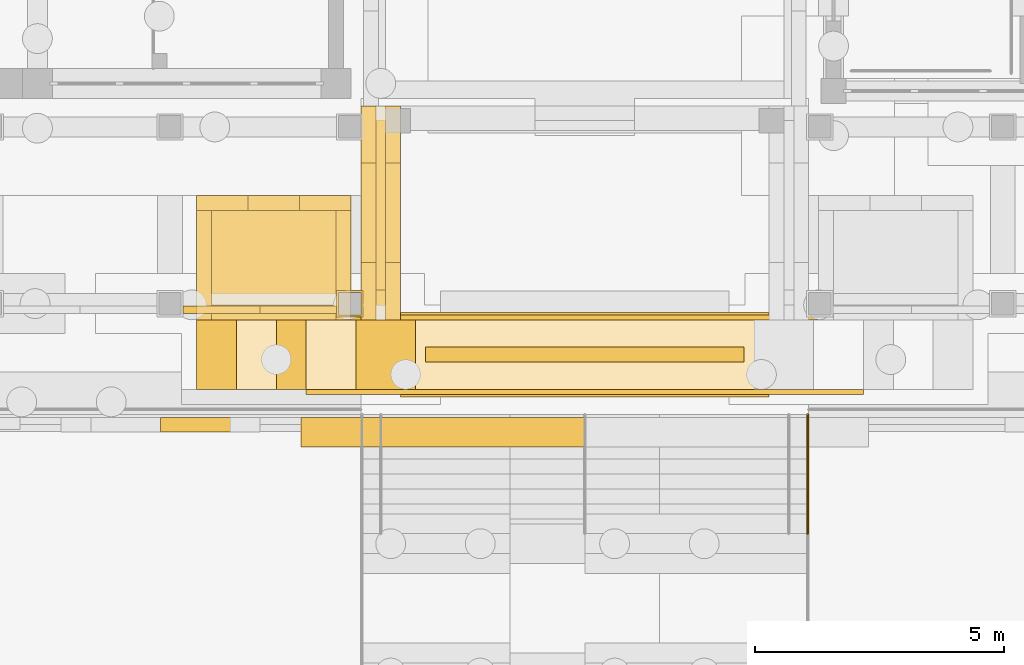
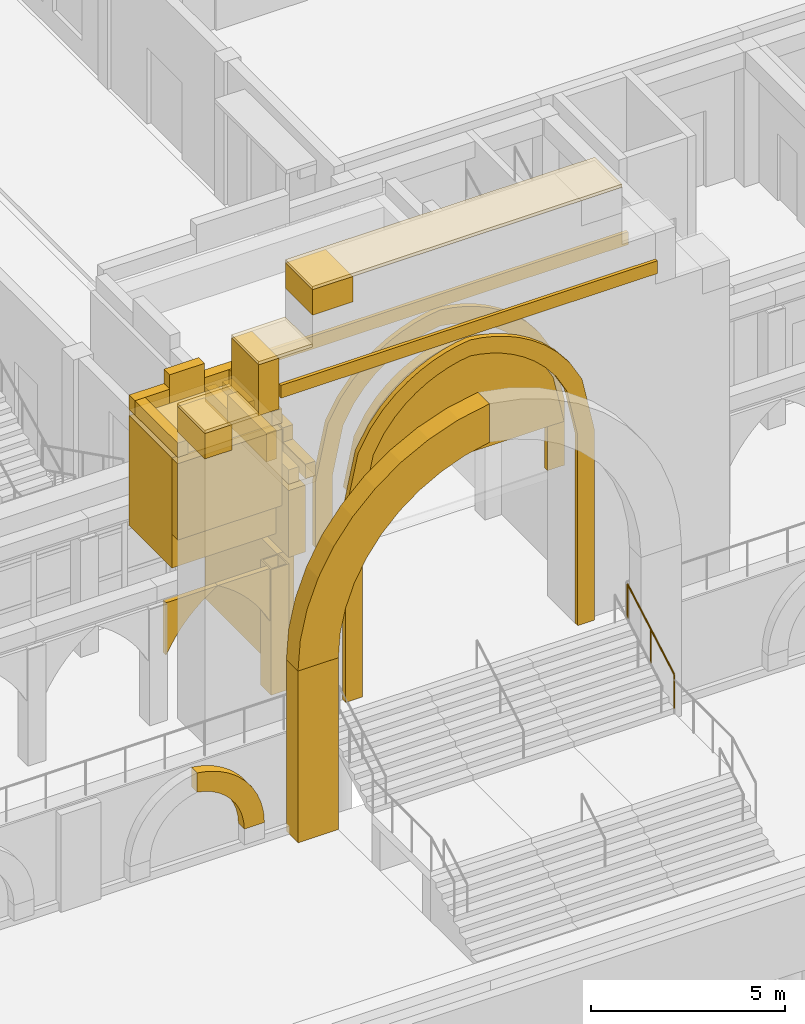
# One storey, part 89 of 161: 34 coverings, 1 railing.
"""IFC4 building model written with IfcOpenShell, lengths in metres."""

import ifcopenshell
import ifcopenshell.guid

model = None  # the IFC model being written
_history = None  # IfcOwnerHistory: only IFC2X3 demands one
_inside = {}  # id of a spatial element -> (the spatial element, [elements in it])
_under = {}  # id of a project, library or spatial element -> (it, [spatial elements below it])
_declared = {}  # id of a project -> (the project, [libraries it declares])
_typed = {}  # id of a type object -> (the type object, [elements of that type])
_made_of = {}  # id of a material, layer set ... -> (it, [elements and type objects made of it])


def new_model(schema):
    """Start an empty IFC model of exactly this schema.

    Asked for "IFC4X3", IfcOpenShell would pick the latest addendum, in which some entities
    have other attributes; the version numbers below select the first issue.
    IFC2X3 requires an IfcOwnerHistory on every rooted entity: one is made here for all.
    """
    global model, _history
    if schema == "IFC4X3":
        model = ifcopenshell.file(schema_version=(4, 3, 0, 0))
    else:
        model = ifcopenshell.file(schema=schema)
    _inside.clear()
    _under.clear()
    _declared.clear()
    _typed.clear()
    _made_of.clear()
    _history = None
    if model.schema == "IFC2X3":
        org = make("IfcOrganization", Name="unknown")
        user = make(
            "IfcPersonAndOrganization",
            ThePerson=make("IfcPerson", FamilyName="unknown"),
            TheOrganization=org,
        )
        app = make(
            "IfcApplication",
            ApplicationDeveloper=org,
            Version="unknown",
            ApplicationFullName="unknown",
            ApplicationIdentifier="unknown",
        )
        _history = make(
            "IfcOwnerHistory",
            OwningUser=user,
            OwningApplication=app,
            ChangeAction="ADDED",
            CreationDate=0,
        )
    return model


def make(cls, **values):
    """One entity of the class cls with the attributes given. An attribute that is None is left unset."""
    return model.create_entity(
        cls, **{name: value for name, value in values.items() if value is not None}
    )


def rooted(cls, **values):
    """An entity with a GlobalId (a new one), such as an element, a storey or a relation."""
    return make(cls, GlobalId=ifcopenshell.guid.new(), OwnerHistory=_history, **values)


def si_unit(unit_type, name, prefix=None):
    """IfcSIUnit, for example si_unit("LENGTHUNIT", "METRE", prefix="MILLI")."""
    return make("IfcSIUnit", UnitType=unit_type, Prefix=prefix, Name=name)


def assignment(units):
    """IfcUnitAssignment: the units of a project."""
    return None if units is None else make("IfcUnitAssignment", Units=units)


def point(xyz):
    """IfcCartesianPoint."""
    return None if xyz is None else make("IfcCartesianPoint", Coordinates=xyz)


def direction(xyz):
    """IfcDirection."""
    return None if xyz is None else make("IfcDirection", DirectionRatios=xyz)


def frame(location, z_axis=None, x_axis=None):
    """IfcAxis2Placement3D, a coordinate frame: its origin and axes. An axis left out is left unset."""
    return make(
        "IfcAxis2Placement3D",
        Location=point(location),
        Axis=direction(z_axis),
        RefDirection=direction(x_axis),
    )


def frame_2d(location, x_axis=None):
    """IfcAxis2Placement2D, a coordinate frame in the plane: its origin and x axis."""
    return make(
        "IfcAxis2Placement2D", Location=point(location), RefDirection=direction(x_axis)
    )


def origin():
    """The frame at (0, 0, 0) with its axes left unset."""
    return frame((0.0, 0.0, 0.0))


def origin_2d():
    """The frame at (0, 0) in the plane with its x axis left unset."""
    return frame_2d((0.0, 0.0))


def place(relative_to, where):
    """IfcLocalPlacement: puts the frame where relative to a parent placement (None: the world)."""
    return make(
        "IfcLocalPlacement", PlacementRelTo=relative_to, RelativePlacement=where
    )


def context(
    kind, dimensions, precision=None, world=None, true_north=None, identifier=None
):
    """IfcGeometricRepresentationContext, for example the 3D "Model" context."""
    return make(
        "IfcGeometricRepresentationContext",
        ContextIdentifier=identifier,
        ContextType=kind,
        CoordinateSpaceDimension=dimensions,
        Precision=precision,
        WorldCoordinateSystem=world,
        TrueNorth=true_north,
    )


def subcontext(parent, identifier, kind, view, scale=None):
    """IfcGeometricRepresentationSubContext, for example "Body" below "Model"."""
    return make(
        "IfcGeometricRepresentationSubContext",
        ContextIdentifier=identifier,
        ContextType=kind,
        ParentContext=parent,
        TargetScale=scale,
        TargetView=view,
    )


def project(units=None, contexts=None):
    """IfcProject with its units and contexts."""
    return rooted(
        "IfcProject",
        Name="project",
        RepresentationContexts=contexts,
        UnitsInContext=assignment(units),
    )


def spatial(cls, under=None, at=None, **own):
    """A site, building, storey or space (cls), placed at a placement, below another one or the project."""
    s = rooted(cls, ObjectPlacement=at, **own)
    if under is not None:
        _under.setdefault(under.id(), (under, []))[1].append(s)
    return s


def polyline(points):
    """IfcPolyline through the points."""
    return make("IfcPolyline", Points=[point(p) for p in points])


def profile(cls, at=None, kind="AREA", **sizes):
    """A parametric profile (cls). Its sizes go by their IFC names, for example OverallWidth=200.0."""
    return make(cls, ProfileType=kind, Position=at, **sizes)


def circle(**sizes):
    """IfcCircleProfileDef."""
    return profile("IfcCircleProfileDef", **sizes)


def outline(outer, holes=None, kind="AREA"):
    """IfcArbitraryClosedProfileDef: a profile drawn as a closed curve; with holes, ...WithVoids."""
    if holes is None:
        return make("IfcArbitraryClosedProfileDef", ProfileType=kind, OuterCurve=outer)
    return make(
        "IfcArbitraryProfileDefWithVoids",
        ProfileType=kind,
        OuterCurve=outer,
        InnerCurves=holes,
    )


def extrude(swept, where, along, depth):
    """IfcExtrudedAreaSolid: the profile swept, set in the frame where, extruded along a direction by depth."""
    return make(
        "IfcExtrudedAreaSolid",
        SweptArea=swept,
        Position=where,
        ExtrudedDirection=direction(along),
        Depth=depth,
    )


def shape(context_of_items, identifier, shape_type, items):
    """IfcShapeRepresentation: the items that make up one representation, for example the "Body"."""
    return make(
        "IfcShapeRepresentation",
        ContextOfItems=context_of_items,
        RepresentationIdentifier=identifier,
        RepresentationType=shape_type,
        Items=items,
    )


def material(Name=None, Category=None):
    """IfcMaterial."""
    return make("IfcMaterial", Name=Name, Category=Category)


def layer(
    of_material, thickness, ventilated=None, Name=None, Category=None, Priority=None
):
    """IfcMaterialLayer: one layer of a wall or slab, of a material (None: an air gap)."""
    return make(
        "IfcMaterialLayer",
        Material=of_material,
        LayerThickness=thickness,
        IsVentilated=ventilated,
        Name=Name,
        Category=Category,
        Priority=Priority,
    )


def layer_set(layers, Name=None):
    """IfcMaterialLayerSet."""
    return make("IfcMaterialLayerSet", MaterialLayers=layers, LayerSetName=Name)


def material_profile(
    of_material, cross_section, Name=None, Category=None, Priority=None
):
    """IfcMaterialProfile: a cross section and its material."""
    return make(
        "IfcMaterialProfile",
        Name=Name,
        Material=of_material,
        Profile=cross_section,
        Priority=Priority,
        Category=Category,
    )


def profile_set(profiles, Name=None, composite=None):
    """IfcMaterialProfileSet."""
    return make(
        "IfcMaterialProfileSet",
        Name=Name,
        MaterialProfiles=profiles,
        CompositeProfile=composite,
    )


def made_of(thing, what):
    """Note that an element or type object is made of a material, layer set ...; save() writes the relation."""
    if what is not None:
        _made_of.setdefault(what.id(), (what, []))[1].append(thing)
    return thing


def type_object(cls, material=None, **own):
    """A type object (cls), such as IfcWallType, which elements share."""
    return made_of(rooted(cls, **own), material)


def element(
    cls,
    number,
    at=None,
    inside=None,
    cuts=None,
    type_object=None,
    material=None,
    context=None,
    identifier="Body",
    shape_type=None,
    held_by="IfcProductDefinitionShape",
    body=None,
    shapes=None,
    **own,
):
    """One element of the class cls, such as IfcWall. Its Tag is "e" and its number.

    at: its placement. inside: the storey or other place that contains it. cuts: it is an
    opening in that element (IfcRelVoidsElement). A single representation is given by context,
    identifier, shape_type and body (its items); several are given by shapes. held_by: the class
    of the entity that holds the representations. save() writes the other relations.
    """
    e = rooted(cls, Tag="e%d" % number, ObjectPlacement=at, **own)
    if body is not None:
        shapes = [shape(context, identifier, shape_type, body)]
    if shapes is not None:
        e.Representation = make(held_by, Representations=shapes)
    if inside is not None:
        _inside.setdefault(inside.id(), (inside, []))[1].append(e)
    if cuts is not None:
        rooted(
            "IfcRelVoidsElement", RelatingBuildingElement=cuts, RelatedOpeningElement=e
        )
    if type_object is not None:
        _typed.setdefault(type_object.id(), (type_object, []))[1].append(e)
    return made_of(e, material)


def aggregate(whole, parts):
    """IfcRelAggregates: a whole, such as a stair, and the parts it consists of."""
    return rooted("IfcRelAggregates", RelatingObject=whole, RelatedObjects=parts)


def save(model, path):
    """Write the relations noted so far, then the file.

    IfcRelAggregates (storeys below a building ...), IfcRelContainedInSpatialStructure (elements
    in a storey), IfcRelDefinesByType, IfcRelAssociatesMaterial and IfcRelDeclares: one each for
    every whole, place, type object, material and project.
    """
    for whole, parts in _under.values():
        aggregate(whole, parts)
    for where, things in _inside.values():
        rooted(
            "IfcRelContainedInSpatialStructure",
            RelatedElements=things,
            RelatingStructure=where,
        )
    for kind, things in _typed.values():
        rooted("IfcRelDefinesByType", RelatedObjects=things, RelatingType=kind)
    for what, things in _made_of.values():
        rooted("IfcRelAssociatesMaterial", RelatedObjects=things, RelatingMaterial=what)
    for by, libraries in _declared.values():
        rooted("IfcRelDeclares", RelatingContext=by, RelatedDefinitions=libraries)
    model.write(path)


model = new_model("IFC4")

# Units and contexts
model_context = context("Model", 3, precision=1e-05, world=origin(), true_north=direction((0.0, 1.0)))
body_context = subcontext(model_context, "Body", "Model", "MODEL_VIEW")
ifc_project = project(units=[si_unit("LENGTHUNIT", "METRE"), si_unit("AREAUNIT", "SQUARE_METRE"), si_unit("VOLUMEUNIT", "CUBIC_METRE"), si_unit("PLANEANGLEUNIT", "RADIAN"), si_unit("MASSUNIT", "GRAM", prefix="KILO")], contexts=[model_context])

# Site, building, storey
site_placement = place(None, origin())
site = spatial("IfcSite", under=ifc_project, at=site_placement, CompositionType="ELEMENT")
building_placement = place(site_placement, origin())
building = spatial("IfcBuilding", under=site, at=building_placement, Name="Elbe Cascade School", CompositionType="ELEMENT")
storey_placement = place(building_placement, origin())
storey = spatial("IfcBuildingStorey", under=building, at=storey_placement, Name="L00", CompositionType="ELEMENT", Elevation=0.0)

# Coverings
ifc_material_1 = material(Name="Sandstone - red", Category="masonry")
ifc_layer_1 = layer(ifc_material_1, 0.300048828125)
ifc_layer_set_1 = layer_set([ifc_layer_1], Name="Sandstone - red")
covering_type_1 = type_object("IfcCoveringType", Name="Gate chamber parapet 300", PredefinedType="CLADDING", material=ifc_layer_set_1)
covering_1_placement = place(storey_placement, frame((0.0, 0.0, 6.199951171875)))
element("IfcCovering", 1, at=covering_1_placement, inside=storey, type_object=covering_type_1, Name="Gate chamber parapet 300 CV16", PredefinedType="CLADDING", context=body_context, shape_type="SweptSolid", body=[
    extrude(outline(polyline([(29.5, 1.39990234375), (29.800048828125, 1.39990234375), (29.800048828125, 2.550048828125), (29.5, 2.550048828125), (29.5, 1.39990234375)])), origin(), (0.0, 0.0, 1.0), 0.449951171875),
])
covering_2_placement = place(storey_placement, frame((0.0, 0.0, 6.199951171875)))
element("IfcCovering", 2, at=covering_2_placement, inside=storey, type_object=covering_type_1, Name="Gate chamber parapet 300 CV16", PredefinedType="CLADDING", context=body_context, shape_type="SweptSolid", body=[
    extrude(outline(polyline([(29.5, 2.550048828125), (29.800048828125, 2.550048828125), (29.800048828125, 4.550048828125), (29.5, 4.550048828125), (29.5, 2.550048828125)])), origin(), (0.0, 0.0, 1.0), 0.900146484375),
])
covering_3_placement = place(storey_placement, frame((0.0, 0.0, 6.199951171875)))
element("IfcCovering", 3, at=covering_3_placement, inside=storey, type_object=covering_type_1, Name="Gate chamber parapet 300 CV16", PredefinedType="CLADDING", context=body_context, shape_type="SweptSolid", body=[
    extrude(outline(polyline([(29.5, 4.550048828125), (29.800048828125, 4.550048828125), (29.800048828125, 5.699951171875), (29.5, 5.699951171875), (29.5, 4.550048828125)])), origin(), (0.0, 0.0, 1.0), 0.449951171875),
])
covering_4_placement = place(storey_placement, frame((0.0, 0.0, 6.199951171875)))
element("IfcCovering", 4, at=covering_4_placement, inside=storey, type_object=covering_type_1, Name="Gate chamber parapet 300 CV16", PredefinedType="CLADDING", context=body_context, shape_type="SweptSolid", body=[
    extrude(outline(polyline([(30.0, 1.39990234375), (30.300048828125, 1.39990234375), (30.300048828125, 2.550048828125), (30.0, 2.550048828125), (30.0, 1.39990234375)])), origin(), (0.0, 0.0, 1.0), 0.449951171875),
])
covering_5_placement = place(storey_placement, frame((0.0, 0.0, 6.199951171875)))
element("IfcCovering", 5, at=covering_5_placement, inside=storey, type_object=covering_type_1, Name="Gate chamber parapet 300 CV16", PredefinedType="CLADDING", context=body_context, shape_type="SweptSolid", body=[
    extrude(outline(polyline([(30.0, 2.550048828125), (30.300048828125, 2.550048828125), (30.300048828125, 4.550048828125), (30.0, 4.550048828125), (30.0, 2.550048828125)])), origin(), (0.0, 0.0, 1.0), 0.900146484375),
])
covering_6_placement = place(storey_placement, frame((0.0, 0.0, 6.199951171875)))
element("IfcCovering", 6, at=covering_6_placement, inside=storey, type_object=covering_type_1, Name="Gate chamber parapet 300 CV16", PredefinedType="CLADDING", context=body_context, shape_type="SweptSolid", body=[
    extrude(outline(polyline([(30.0, 4.550048828125), (30.300048828125, 4.550048828125), (30.300048828125, 5.699951171875), (30.0, 5.699951171875), (30.0, 4.550048828125)])), origin(), (0.0, 0.0, 1.0), 0.449951171875),
])
covering_7_placement = place(storey_placement, frame((0.0, 0.0, 8.199951171875)))
element("IfcCovering", 7, at=covering_7_placement, inside=storey, type_object=covering_type_1, Name="Gate chamber parapet 300 CV16", PredefinedType="CLADDING", context=body_context, shape_type="SweptSolid", body=[
    extrude(outline(polyline([(26.199951171875, 1.39990234375), (26.5, 1.39990234375), (26.5, 3.60009765625), (26.199951171875, 3.60009765625), (26.199951171875, 1.39990234375)])), origin(), (0.0, 0.0, 1.0), 0.449951171875),
])
covering_8_placement = place(storey_placement, frame((0.0, 0.0, 8.199951171875)))
element("IfcCovering", 8, at=covering_8_placement, inside=storey, type_object=covering_type_1, Name="Gate chamber parapet 300 CV16", PredefinedType="CLADDING", context=body_context, shape_type="SweptSolid", body=[
    extrude(outline(polyline([(29.0, 1.39990234375), (29.300048828125, 1.39990234375), (29.300048828125, 3.60009765625), (29.0, 3.60009765625), (29.0, 1.39990234375)])), origin(), (0.0, 0.0, 1.0), 0.449951171875),
])
covering_9_placement = place(storey_placement, frame((0.0, 0.0, 8.199951171875)))
element("IfcCovering", 9, at=covering_9_placement, inside=storey, type_object=covering_type_1, Name="Gate chamber parapet 300 CV16", PredefinedType="CLADDING", context=body_context, shape_type="SweptSolid", body=[
    extrude(outline(polyline([(26.199951171875, 3.60009765625), (27.2333984375, 3.60009765625), (27.2333984375, 3.89990234375), (26.199951171875, 3.89990234375), (26.199951171875, 3.60009765625)])), origin(), (0.0, 0.0, 1.0), 0.449951171875),
])
covering_10_placement = place(storey_placement, frame((0.0, 0.0, 8.199951171875)))
element("IfcCovering", 10, at=covering_10_placement, inside=storey, type_object=covering_type_1, Name="Gate chamber parapet 300 CV16", PredefinedType="CLADDING", context=body_context, shape_type="SweptSolid", body=[
    extrude(outline(polyline([(27.2333984375, 3.60009765625), (28.2666015625, 3.60009765625), (28.2666015625, 3.89990234375), (27.2333984375, 3.89990234375), (27.2333984375, 3.60009765625)])), origin(), (0.0, 0.0, 1.0), 0.900146484375),
])
covering_11_placement = place(storey_placement, frame((0.0, 0.0, 8.199951171875)))
element("IfcCovering", 11, at=covering_11_placement, inside=storey, type_object=covering_type_1, Name="Gate chamber parapet 300 CV16", PredefinedType="CLADDING", context=body_context, shape_type="SweptSolid", body=[
    extrude(outline(polyline([(28.2666015625, 3.60009765625), (29.300048828125, 3.60009765625), (29.300048828125, 3.89990234375), (28.2666015625, 3.89990234375), (28.2666015625, 3.60009765625)])), origin(), (0.0, 0.0, 1.0), 0.449951171875),
])
ifc_material_2 = material(Name="Sandstone - red", Category="masonry")
ifc_layer_2 = layer(ifc_material_2, 0.199951171875)
ifc_layer_set_2 = layer_set([ifc_layer_2], Name="Sandstone - red")
covering_type_2 = type_object("IfcCoveringType", Name="Gate chamber roof 200", PredefinedType="CLADDING", material=ifc_layer_set_2)
covering_12_placement = place(storey_placement, frame((0.0, 0.0, 6.0)))
element("IfcCovering", 12, at=covering_12_placement, inside=storey, type_object=covering_type_2, Name="Gate chamber roof 200 CV15", PredefinedType="CLADDING", context=body_context, shape_type="SweptSolid", body=[
    extrude(outline(polyline([(29.5, 1.39990234375), (30.300048828125, 1.39990234375), (30.300048828125, 5.699951171875), (29.5, 5.699951171875), (29.5, 1.39990234375)])), origin(), (0.0, 0.0, 1.0), 0.199951171875),
])
covering_13_placement = place(storey_placement, frame((0.0, 0.0, 8.0)))
element("IfcCovering", 13, at=covering_13_placement, inside=storey, type_object=covering_type_2, Name="Gate chamber roof 200 CV15", PredefinedType="CLADDING", context=body_context, shape_type="SweptSolid", body=[
    extrude(outline(polyline([(26.199951171875, 1.39990234375), (29.300048828125, 1.39990234375), (29.300048828125, 3.89990234375), (26.199951171875, 3.89990234375), (26.199951171875, 1.39990234375)])), origin(), (0.0, 0.0, 1.0), 0.199951171875),
])
ifc_material_3 = material(Name="Sandstone - red", Category="masonry")
ifc_layer_3 = layer(ifc_material_3, 0.5)
ifc_layer_set_3 = layer_set([ifc_layer_3], Name="Sandstone - red")
covering_type_3 = type_object("IfcCoveringType", Name="Gate chamber wall 500", PredefinedType="CLADDING", material=ifc_layer_set_3)
covering_14_placement = place(storey_placement, frame((0.0, 0.0, 3.89990234375)))
element("IfcCovering", 14, at=covering_14_placement, inside=storey, type_object=covering_type_3, Name="Gate chamber wall 500 CV14", PredefinedType="CLADDING", context=body_context, shape_type="SweptSolid", body=[
    extrude(outline(polyline([(29.5, 1.39990234375), (30.0, 1.39990234375), (30.0, 5.699951171875), (29.5, 5.699951171875), (29.5, 1.39990234375)])), origin(), (0.0, 0.0, 1.0), 2.10009765625),
])
ifc_material_4 = material(Name="Sandstone - red", Category="masonry")
ifc_layer_4 = layer(ifc_material_4, 1.39990234375)
ifc_layer_set_4 = layer_set([ifc_layer_4], Name="Sandstone - red")
covering_type_4 = type_object("IfcCoveringType", Name="Gate crown infill 140", PredefinedType="CLADDING", material=ifc_layer_set_4)
covering_15_placement = place(storey_placement, frame((0.0, 0.0, 12.39990234375)))
element("IfcCovering", 15, at=covering_15_placement, inside=storey, type_object=covering_type_4, Name="Gate crown infill 140 CV9", PredefinedType="CLADDING", context=body_context, shape_type="SweptSolid", body=[
    extrude(outline(polyline([(29.39990234375, 0.0), (30.60009765625, 0.0), (30.60009765625, 1.39990234375), (29.39990234375, 1.39990234375), (29.39990234375, 0.0)])), origin(), (0.0, 0.0, 1.0), 0.800048828125),
])
covering_16_placement = place(storey_placement, frame((0.0, 0.0, 9.800048828125)))
element("IfcCovering", 16, at=covering_16_placement, inside=storey, type_object=covering_type_4, Name="Gate crown infill 140 CV9", PredefinedType="CLADDING", context=body_context, shape_type="SweptSolid", body=[
    extrude(outline(polyline([(27.800048828125, 0.0), (28.39990234375, 0.0), (28.39990234375, 1.39990234375), (27.800048828125, 1.39990234375), (27.800048828125, 0.0)])), origin(), (0.0, 0.0, 1.0), 1.599853515625),
])
covering_17_placement = place(storey_placement, frame((0.0, 0.0, 9.0)))
element("IfcCovering", 17, at=covering_17_placement, inside=storey, type_object=covering_type_4, Name="Gate crown infill 140 CV9", PredefinedType="CLADDING", context=body_context, shape_type="SweptSolid", body=[
    extrude(outline(polyline([(26.199951171875, 0.0), (27.0, 0.0), (27.0, 1.39990234375), (26.199951171875, 1.39990234375), (26.199951171875, 0.0)])), origin(), (0.0, 0.0, 1.0), 0.800048828125),
])
ifc_material_5 = material(Name="Sandstone - red", Category="masonry")
ifc_layer_5 = layer(ifc_material_5, 0.10009765625)
ifc_layer_set_5 = layer_set([ifc_layer_5], Name="Sandstone - red")
covering_type_5 = type_object("IfcCoveringType", Name="Gate parapet coping 100", PredefinedType="CLADDING", material=ifc_layer_set_5)
covering_18_placement = place(storey_placement, frame((0.0, 0.0, 13.199951171875)))
element("IfcCovering", 18, at=covering_18_placement, inside=storey, type_object=covering_type_5, Name="Gate parapet coping 100 CV8", PredefinedType="CLADDING", context=body_context, shape_type="SweptSolid", body=[
    extrude(outline(polyline([(29.39990234375, 0.0), (38.60009765625, 0.0), (38.60009765625, 1.39990234375), (29.39990234375, 1.39990234375), (29.39990234375, 0.0)])), origin(), (0.0, 0.0, 1.0), 0.10009765625),
])
covering_19_placement = place(storey_placement, frame((0.0, 0.0, 11.39990234375)))
element("IfcCovering", 19, at=covering_19_placement, inside=storey, type_object=covering_type_5, Name="Gate parapet coping 100 CV8", PredefinedType="CLADDING", context=body_context, shape_type="SweptSolid", body=[
    extrude(outline(polyline([(27.800048828125, 0.0), (29.39990234375, 0.0), (29.39990234375, 1.39990234375), (27.800048828125, 1.39990234375), (27.800048828125, 0.0)])), origin(), (0.0, 0.0, 1.0), 0.10009765625),
])
covering_20_placement = place(storey_placement, frame((0.0, 0.0, 9.800048828125)))
element("IfcCovering", 20, at=covering_20_placement, inside=storey, type_object=covering_type_5, Name="Gate parapet coping 100 CV8", PredefinedType="CLADDING", context=body_context, shape_type="SweptSolid", body=[
    extrude(outline(polyline([(26.199951171875, 0.0), (27.800048828125, 0.0), (27.800048828125, 1.39990234375), (26.199951171875, 1.39990234375), (26.199951171875, 0.0)])), origin(), (0.0, 0.0, 1.0), 0.099853515625),
])
ifc_material_6 = material(Name="Sandstone - red", Category="masonry")
ifc_layer_6 = layer(ifc_material_6, 0.5)
ifc_layer_set_6 = layer_set([ifc_layer_6], Name="Sandstone - red")
covering_type_6 = type_object("IfcCoveringType", Name="Gate porch return wall 500", PredefinedType="CLADDING", material=ifc_layer_set_6)
covering_21_placement = place(storey_placement, origin())
element("IfcCovering", 21, at=covering_21_placement, inside=storey, type_object=covering_type_6, Name="Gate porch return wall 500 CV11", PredefinedType="CLADDING", context=body_context, shape_type="SweptSolid", body=[
    extrude(outline(polyline([(29.5, 2.0), (30.0, 2.0), (30.0, 5.699951171875), (29.5, 5.699951171875), (29.5, 2.0)])), origin(), (0.0, 0.0, 1.0), 3.64990234375),
])
ifc_material_7 = material(Name="Sandstone - red", Category="masonry")
ifc_material_profile_1 = material_profile(ifc_material_7, outline(polyline([(-3.699951171875, 0.0), (-3.699951171875, 6.0), (-3.330078125, 7.70751953125), (-2.9599609375, 8.357421875), (-2.590087890625, 8.815185546875), (-2.219970703125, 9.165283203125), (-1.85009765625, 9.44091796875), (-1.47998046875, 9.65869140625), (-1.110107421875, 9.828857421875), (-0.739990234375, 9.95703125), (-0.3701171875, 10.047607421875), (0.0, 10.10302734375), (0.3701171875, 10.047607421875), (0.739990234375, 9.95703125), (1.110107421875, 9.828857421875), (1.47998046875, 9.65869140625), (1.85009765625, 9.44091796875), (2.219970703125, 9.165283203125), (2.590087890625, 8.815185546875), (2.9599609375, 8.357421875), (3.330078125, 7.70751953125), (3.699951171875, 6.0), (3.699951171875, 0.0), (3.199951171875, 0.0), (3.199951171875, 6.0), (2.8798828125, 7.4892578125), (2.56005859375, 8.056884765625), (2.239990234375, 8.457275390625), (1.919921875, 8.764404296875), (1.60009765625, 9.006591796875), (1.280029296875, 9.198974609375), (0.9599609375, 9.35009765625), (0.639892578125, 9.465087890625), (0.320068359375, 9.547607421875), (0.0, 9.60009765625), (-0.320068359375, 9.547607421875), (-0.639892578125, 9.465087890625), (-0.9599609375, 9.35009765625), (-1.280029296875, 9.198974609375), (-1.60009765625, 9.006591796875), (-1.919921875, 8.764404296875), (-2.239990234375, 8.457275390625), (-2.56005859375, 8.056884765625), (-2.8798828125, 7.4892578125), (-3.199951171875, 6.0), (-3.199951171875, 0.0), (-3.699951171875, 0.0)])), Name="Arch moulding face")
ifc_profile_set_1 = profile_set([ifc_material_profile_1], Name="Sandstone - red")
covering_type_7 = type_object("IfcCoveringType", Name="Gate portal arch moulding 150", PredefinedType="CLADDING", material=ifc_profile_set_1)
covering_22_placement = place(storey_placement, frame((34.0, -0.14990234375, 0.0), z_axis=(0.0, 1.0, 0.0), x_axis=(-1.0, 0.0, 0.0)))
element("IfcCovering", 22, at=covering_22_placement, inside=storey, type_object=covering_type_7, Name="Gate portal arch moulding 150 CV6", PredefinedType="CLADDING", context=body_context, shape_type="SweptSolid", body=[
    extrude(outline(polyline([(-3.699951171875, 0.0), (-3.699951171875, 6.0), (-3.330078125, 7.70751953125), (-2.9599609375, 8.357421875), (-2.590087890625, 8.815185546875), (-2.219970703125, 9.165283203125), (-1.85009765625, 9.44091796875), (-1.47998046875, 9.65869140625), (-1.110107421875, 9.828857421875), (-0.739990234375, 9.95703125), (-0.3701171875, 10.047607421875), (0.0, 10.10302734375), (0.3701171875, 10.047607421875), (0.739990234375, 9.95703125), (1.110107421875, 9.828857421875), (1.47998046875, 9.65869140625), (1.85009765625, 9.44091796875), (2.219970703125, 9.165283203125), (2.590087890625, 8.815185546875), (2.9599609375, 8.357421875), (3.330078125, 7.70751953125), (3.699951171875, 6.0), (3.699951171875, 0.0), (3.199951171875, 0.0), (3.199951171875, 6.0), (2.8798828125, 7.4892578125), (2.56005859375, 8.056884765625), (2.239990234375, 8.457275390625), (1.919921875, 8.764404296875), (1.60009765625, 9.006591796875), (1.280029296875, 9.198974609375), (0.9599609375, 9.35009765625), (0.639892578125, 9.465087890625), (0.320068359375, 9.547607421875), (0.0, 9.60009765625), (-0.320068359375, 9.547607421875), (-0.639892578125, 9.465087890625), (-0.9599609375, 9.35009765625), (-1.280029296875, 9.198974609375), (-1.60009765625, 9.006591796875), (-1.919921875, 8.764404296875), (-2.239990234375, 8.457275390625), (-2.56005859375, 8.056884765625), (-2.8798828125, 7.4892578125), (-3.199951171875, 6.0), (-3.199951171875, 0.0), (-3.699951171875, 0.0)])), origin(), (0.0, 0.0, 1.0), 0.14990234375),
])
ifc_material_8 = material(Name="Sandstone - red", Category="masonry")
ifc_material_profile_2 = material_profile(ifc_material_8, outline(polyline([(-3.699951171875, 3.929931640625), (-3.699951171875, 6.0), (-3.330078125, 7.70751953125), (-2.9599609375, 8.357421875), (-2.590087890625, 8.815185546875), (-2.219970703125, 9.165283203125), (-1.85009765625, 9.44091796875), (-1.47998046875, 9.65869140625), (-1.110107421875, 9.828857421875), (-0.739990234375, 9.95703125), (-0.3701171875, 10.047607421875), (0.0, 10.10302734375), (0.3701171875, 10.047607421875), (0.739990234375, 9.95703125), (1.110107421875, 9.828857421875), (1.47998046875, 9.65869140625), (1.85009765625, 9.44091796875), (2.219970703125, 9.165283203125), (2.590087890625, 8.815185546875), (2.9599609375, 8.357421875), (3.330078125, 7.70751953125), (3.699951171875, 6.0), (3.699951171875, 3.929931640625), (3.199951171875, 3.929931640625), (3.199951171875, 6.0), (2.8798828125, 7.4892578125), (2.56005859375, 8.056884765625), (2.239990234375, 8.457275390625), (1.919921875, 8.764404296875), (1.60009765625, 9.006591796875), (1.280029296875, 9.198974609375), (0.9599609375, 9.35009765625), (0.639892578125, 9.465087890625), (0.320068359375, 9.547607421875), (0.0, 9.60009765625), (-0.320068359375, 9.547607421875), (-0.639892578125, 9.465087890625), (-0.9599609375, 9.35009765625), (-1.280029296875, 9.198974609375), (-1.60009765625, 9.006591796875), (-1.919921875, 8.764404296875), (-2.239990234375, 8.457275390625), (-2.56005859375, 8.056884765625), (-2.8798828125, 7.4892578125), (-3.199951171875, 6.0), (-3.199951171875, 3.929931640625), (-3.699951171875, 3.929931640625)])), Name="Arch moulding back face")
ifc_profile_set_2 = profile_set([ifc_material_profile_2], Name="Sandstone - red")
covering_type_8 = type_object("IfcCoveringType", Name="Gate portal back moulding 150", PredefinedType="CLADDING", material=ifc_profile_set_2)
covering_23_placement = place(storey_placement, frame((34.0, 1.39990234375, 0.0), z_axis=(0.0, 1.0, 0.0), x_axis=(-1.0, 0.0, 0.0)))
element("IfcCovering", 23, at=covering_23_placement, inside=storey, type_object=covering_type_8, Name="Gate portal back moulding 150 CV7", PredefinedType="CLADDING", context=body_context, shape_type="SweptSolid", body=[
    extrude(outline(polyline([(-3.699951171875, 3.929931640625), (-3.699951171875, 6.0), (-3.330078125, 7.70751953125), (-2.9599609375, 8.357421875), (-2.590087890625, 8.815185546875), (-2.219970703125, 9.165283203125), (-1.85009765625, 9.44091796875), (-1.47998046875, 9.65869140625), (-1.110107421875, 9.828857421875), (-0.739990234375, 9.95703125), (-0.3701171875, 10.047607421875), (0.0, 10.10302734375), (0.3701171875, 10.047607421875), (0.739990234375, 9.95703125), (1.110107421875, 9.828857421875), (1.47998046875, 9.65869140625), (1.85009765625, 9.44091796875), (2.219970703125, 9.165283203125), (2.590087890625, 8.815185546875), (2.9599609375, 8.357421875), (3.330078125, 7.70751953125), (3.699951171875, 6.0), (3.699951171875, 3.929931640625), (3.199951171875, 3.929931640625), (3.199951171875, 6.0), (2.8798828125, 7.4892578125), (2.56005859375, 8.056884765625), (2.239990234375, 8.457275390625), (1.919921875, 8.764404296875), (1.60009765625, 9.006591796875), (1.280029296875, 9.198974609375), (0.9599609375, 9.35009765625), (0.639892578125, 9.465087890625), (0.320068359375, 9.547607421875), (0.0, 9.60009765625), (-0.320068359375, 9.547607421875), (-0.639892578125, 9.465087890625), (-0.9599609375, 9.35009765625), (-1.280029296875, 9.198974609375), (-1.60009765625, 9.006591796875), (-1.919921875, 8.764404296875), (-2.239990234375, 8.457275390625), (-2.56005859375, 8.056884765625), (-2.8798828125, 7.4892578125), (-3.199951171875, 6.0), (-3.199951171875, 3.929931640625), (-3.699951171875, 3.929931640625)])), origin(), (0.0, 0.0, 1.0), 0.150146484375),
])
ifc_material_9 = material(Name="Sandstone - red", Category="masonry")
ifc_layer_7 = layer(ifc_material_9, 0.10009765625)
ifc_layer_set_7 = layer_set([ifc_layer_7], Name="Sandstone - red")
covering_type_9 = type_object("IfcCoveringType", Name="Gate portal sandstone band 100", PredefinedType="CLADDING", material=ifc_layer_set_7)
covering_24_placement = place(storey_placement, frame((0.0, 0.0, 10.199951171875)))
element("IfcCovering", 24, at=covering_24_placement, inside=storey, type_object=covering_type_9, Name="Gate portal sandstone band 100 CV5", PredefinedType="CLADDING", context=body_context, shape_type="SweptSolid", body=[
    extrude(outline(polyline([(28.39990234375, -0.10009765625), (39.60009765625, -0.10009765625), (39.60009765625, 0.0), (28.39990234375, 0.0), (28.39990234375, -0.10009765625)])), origin(), (0.0, 0.0, 1.0), 0.400146484375),
])
covering_25_placement = place(storey_placement, frame((0.0, 0.0, 10.199951171875)))
element("IfcCovering", 25, at=covering_25_placement, inside=storey, type_object=covering_type_9, Name="Gate portal sandstone band 100 CV5", PredefinedType="CLADDING", context=body_context, shape_type="SweptSolid", body=[
    extrude(outline(polyline([(28.39990234375, 1.39990234375), (39.60009765625, 1.39990234375), (39.60009765625, 1.5), (28.39990234375, 1.5), (28.39990234375, 1.39990234375)])), origin(), (0.0, 0.0, 1.0), 0.400146484375),
])
ifc_material_10 = material(Name="Sandstone - red", Category="masonry")
ifc_material_profile_3 = material_profile(ifc_material_10, outline(polyline([(-3.199951171875, 6.0), (-2.8798828125, 7.4892578125), (-2.56005859375, 8.056884765625), (-2.239990234375, 8.457275390625), (-1.919921875, 8.764404296875), (-1.60009765625, 9.006591796875), (-1.280029296875, 9.198974609375), (-0.9599609375, 9.35009765625), (-0.639892578125, 9.465087890625), (-0.320068359375, 9.547607421875), (0.0, 9.60009765625), (0.320068359375, 9.547607421875), (0.639892578125, 9.465087890625), (0.9599609375, 9.35009765625), (1.280029296875, 9.198974609375), (1.60009765625, 9.006591796875), (1.919921875, 8.764404296875), (2.239990234375, 8.457275390625), (2.56005859375, 8.056884765625), (2.8798828125, 7.4892578125), (3.199951171875, 6.0), (-3.199951171875, 6.0)])), Name="Arch tympanum face")
ifc_profile_set_3 = profile_set([ifc_material_profile_3], Name="Sandstone - red")
covering_type_10 = type_object("IfcCoveringType", Name="Gate portal tympanum 300", PredefinedType="CLADDING", material=ifc_profile_set_3)
covering_26_placement = place(storey_placement, frame((34.0, 0.550048828125, 0.0), z_axis=(0.0, 1.0, 0.0), x_axis=(-1.0, 0.0, 0.0)))
element("IfcCovering", 26, at=covering_26_placement, inside=storey, type_object=covering_type_10, Name="Gate portal tympanum 300 CV10", PredefinedType="CLADDING", context=body_context, shape_type="SweptSolid", body=[
    extrude(outline(polyline([(-3.199951171875, 6.0), (-2.8798828125, 7.4892578125), (-2.56005859375, 8.056884765625), (-2.239990234375, 8.457275390625), (-1.919921875, 8.764404296875), (-1.60009765625, 9.006591796875), (-1.280029296875, 9.198974609375), (-0.9599609375, 9.35009765625), (-0.639892578125, 9.465087890625), (-0.320068359375, 9.547607421875), (0.0, 9.60009765625), (0.320068359375, 9.547607421875), (0.639892578125, 9.465087890625), (0.9599609375, 9.35009765625), (1.280029296875, 9.198974609375), (1.60009765625, 9.006591796875), (1.919921875, 8.764404296875), (2.239990234375, 8.457275390625), (2.56005859375, 8.056884765625), (2.8798828125, 7.4892578125), (3.199951171875, 6.0), (-3.199951171875, 6.0)])), origin(), (0.0, 0.0, 1.0), 0.300048828125),
])
ifc_material_11 = material(Name="Sandstone - red", Category="masonry")
ifc_layer_8 = layer(ifc_material_11, 2.199951171875)
ifc_layer_set_8 = layer_set([ifc_layer_8], Name="Sandstone - red")
covering_type_11 = type_object("IfcCoveringType", Name="Gate pylon wing block 220", PredefinedType="CLADDING", material=ifc_layer_set_8)
covering_27_placement = place(storey_placement, frame((0.0, 0.0, 4.5400390625)))
element("IfcCovering", 27, at=covering_27_placement, inside=storey, type_object=covering_type_11, Name="Gate pylon wing block 220 CV21", PredefinedType="CLADDING", context=body_context, shape_type="SweptSolid", body=[
    extrude(outline(polyline([(26.199951171875, 1.699951171875), (29.300048828125, 1.699951171875), (29.300048828125, 3.89990234375), (26.199951171875, 3.89990234375), (26.199951171875, 1.699951171875)])), origin(), (0.0, 0.0, 1.0), 3.4599609375),
])
ifc_material_12 = material(Name="Sandstone - red", Category="masonry")
ifc_layer_9 = layer(ifc_material_12, 0.300048828125)
ifc_layer_set_9 = layer_set([ifc_layer_9], Name="Sandstone - red")
covering_type_12 = type_object("IfcCoveringType", Name="Gate pylon wing link 030", PredefinedType="CLADDING", material=ifc_layer_set_9)
covering_28_placement = place(storey_placement, frame((0.0, 0.0, 5.60009765625)))
element("IfcCovering", 28, at=covering_28_placement, inside=storey, type_object=covering_type_12, Name="Gate pylon wing link 030 CV22", PredefinedType="CLADDING", context=body_context, shape_type="SweptSolid", body=[
    extrude(outline(polyline([(26.199951171875, 1.39990234375), (29.300048828125, 1.39990234375), (29.300048828125, 1.699951171875), (26.199951171875, 1.699951171875), (26.199951171875, 1.39990234375)])), origin(), (0.0, 0.0, 1.0), 2.39990234375),
])
ifc_material_13 = material(Name="Sandstone - red", Category="masonry")
ifc_layer_10 = layer(ifc_material_13, 0.300048828125)
ifc_layer_set_10 = layer_set([ifc_layer_10], Name="Sandstone - red")
covering_type_13 = type_object("IfcCoveringType", Name="Plinth niche arch band 600x300", PredefinedType="CLADDING", material=ifc_layer_set_10)
covering_29_placement = place(storey_placement, frame((27.451171875, -0.860107421875, -2.021484375), z_axis=(0.0, -1.0, 0.0), x_axis=(-0.216459489286, 0.0, 0.976291600649)))
element("IfcCovering", 29, at=covering_29_placement, inside=storey, type_object=covering_type_13, Name="Plinth niche arch band south 0.2.2b", PredefinedType="CLADDING", context=body_context, shape_type="SweptSolid", body=[
    extrude(outline(polyline([(0.0, 0.0), (0.32934135960117644, 0.0), (0.6551644417049964, 0.04729296121112139), (0.9708493103907654, 0.14134607453088394), (1.2696444562943432, 0.2799052172108526), (1.545222228379718, 0.4603722209510249), (1.7917058001605646, 0.6787986155785705), (2.004304414248379, 0.9304949932625219), (2.1780687735896525, 1.2100568888472178), (2.3095325423352664, 1.512001110288553), (1.7179417823715963, 1.6431662598021382), (1.6153248124213089, 1.4318531562628691), (1.483783040712662, 1.2367058500948127), (1.3265185703197675, 1.0620157711342504), (1.146045413213602, 0.9112266325612076), (0.946254849459528, 0.7872267157841368), (0.7311708184544712, 0.6923747507733593), (0.5047115664853533, 0.628552762616067), (0.2717487496053557, 0.5974313901794459), (0.036545745541084515, 0.5990656517947303), (-0.1961045165427231, 0.6336432251247164), (-0.3260013487362735, 0.04777292375860029), (0.0, 0.0)])), origin(), (0.0, 0.0, -1.0), 0.300048828125),
])

# Railing
ifc_material_14 = material(Name="Steel S355J2H", Category="steel")
railing_type = type_object("IfcRailingType", Name="Quay and steps guard 1100", PredefinedType="GUARDRAIL", material=ifc_material_14)
railing_placement = place(storey_placement, frame((38.47900390625, -2.89990234375, -1.377685546875)))
element("IfcRailing", 30, at=railing_placement, inside=storey, type_object=railing_type, Name="River steps guard east upper", PredefinedType="GUARDRAIL", context=body_context, shape_type="SweptSolid", body=[
    extrude(circle(Radius=0.02392578125, at=origin_2d()), frame((0.0, 0.0, 1.076171875), z_axis=(0.0, 0.867296832788, 0.497791325594), x_axis=(-1.0, 0.0, 0.0)), (0.0, 0.0, 1.0), 1.383544921875),
    extrude(circle(Radius=0.02392578125, at=origin_2d()), frame((0.0, 1.199951171875, 1.7646484375), z_axis=(0.0, 0.867220646105, 0.497924041365), x_axis=(-1.0, 0.0, 0.0)), (0.0, 0.0, 1.0), 1.3837890625),
    extrude(circle(Radius=0.02099609375, at=origin_2d()), origin(), (0.0, 0.0, 1.0), 1.052001953125),
    extrude(circle(Radius=0.02099609375, at=origin_2d()), frame((0.0, 1.199951171875, 0.688720703125)), (0.0, 0.0, 1.0), 1.052001953125),
    extrude(circle(Radius=0.02099609375, at=origin_2d()), frame((0.0, 2.39990234375, 1.377685546875)), (0.0, 0.0, 1.0), 1.052001953125),
])

# Coverings
ifc_material_15 = material(Name="Sandstone - red", Category="masonry")
ifc_layer_11 = layer(ifc_material_15, 0.14990234375)
ifc_layer_set_11 = layer_set([ifc_layer_11], Name="Sandstone - red")
covering_type_14 = type_object("IfcCoveringType", Name="Sandstone arch spandrel 3081x150", PredefinedType="CLADDING", material=ifc_layer_set_11)
covering_30_placement = place(storey_placement, frame((25.92919921875, 1.52490234375, 3.64990234375), z_axis=(0.0, -1.0, 0.0), x_axis=(0.0, 0.0, -1.0)))
element("IfcCovering", 31, at=covering_30_placement, inside=storey, type_object=covering_type_14, Name="Colonnade arch spandrel 7l", PredefinedType="CLADDING", context=body_context, shape_type="SweptSolid", body=[
    extrude(outline(polyline([(0.0, 0.0), (1.64990234375, 0.0), (1.39892578125, 0.137451171875), (1.15869140625, 0.292236328125), (0.929931640625, 0.4638671875), (0.714111328125, 0.651611328125), (0.51220703125, 0.85400390625), (0.3251953125, 1.0703125), (0.154052734375, 1.299560546875), (0.0, 1.54052734375), (0.0, 0.0)])), origin(), (0.0, 0.0, -1.0), 0.14990234375),
])
covering_31_placement = place(storey_placement, frame((27.4697265625, 1.52490234375, 3.64990234375), z_axis=(0.0, -1.0, 0.0), x_axis=(0.842286914435, 0.0, -0.539029455384)))
element("IfcCovering", 32, at=covering_31_placement, inside=storey, type_object=covering_type_14, Name="Colonnade arch spandrel 7r", PredefinedType="CLADDING", context=body_context, shape_type="SweptSolid", body=[
    extrude(outline(polyline([(0.0, 0.0), (0.28579650487798125, 0.0), (0.5711400256003046, -0.020579704202514038), (0.8541387485039988, -0.06150052426772967), (1.133649368275382, -0.12233471134516138), (1.4079116702396142, -0.20304931354871625), (1.675782349083013, -0.3032165820279087), (1.9358549015156354, -0.4219974950248143), (2.186706348304491, -0.5594331381189287), (1.2973603865163101, 0.8302580161174359), (0.0, 0.0)])), origin(), (0.0, 0.0, -1.0), 0.14990234375),
])
ifc_material_16 = material(Name="Sandstone - red", Category="masonry")
ifc_layer_12 = layer(ifc_material_16, 0.0400390625)
ifc_layer_set_12 = layer_set([ifc_layer_12], Name="Sandstone - red")
covering_type_15 = type_object("IfcCoveringType", Name="Sandstone column cladding 40", PredefinedType="CLADDING", material=ifc_layer_set_12)
covering_32_placement = place(storey_placement, frame((0.0, 0.0, -0.300048828125)))
element("IfcCovering", 33, at=covering_32_placement, inside=storey, type_object=covering_type_15, Name="Colonnade column sandstone cladding F8", PredefinedType="CLADDING", context=body_context, shape_type="SweptSolid", body=[
    extrude(outline(polyline([(29.010009765625, 1.4599609375), (29.5400390625, 1.4599609375), (29.5400390625, 1.989990234375), (29.010009765625, 1.989990234375), (29.010009765625, 1.4599609375)]), holes=[polyline([(29.050048828125, 1.949951171875), (29.5, 1.949951171875), (29.5, 1.5), (29.050048828125, 1.5), (29.050048828125, 1.949951171875)])]), origin(), (0.0, 0.0, 1.0), 3.949951171875),
])
ifc_material_17 = material(Name="Sandstone - red", Category="masonry")
ifc_layer_13 = layer(ifc_material_17, 0.60009765625)
ifc_layer_set_13 = layer_set([ifc_layer_13], Name="Sandstone - red")
covering_type_16 = type_object("IfcCoveringType", Name="Water gate arch band 1200x600", PredefinedType="CLADDING", material=ifc_layer_set_13)
covering_33_placement = place(storey_placement, frame((28.300048828125, -1.159912109375, 2.300048828125), z_axis=(0.0, -1.0, 0.0), x_axis=(1.0, 0.0, 0.0)))
element("IfcCovering", 34, at=covering_33_placement, inside=storey, type_object=covering_type_16, Name="Water gate arch band west", PredefinedType="CLADDING", context=body_context, shape_type="SweptSolid", body=[
    extrude(outline(polyline([(0.0, 0.0), (1.199951171875, 0.0), (1.25341796875, 0.7470703125), (1.412353515625, 1.47900390625), (1.674072265625, 2.180908203125), (2.03271484375, 2.83837890625), (2.481201171875, 3.438232421875), (3.010498046875, 3.96826171875), (3.609619140625, 4.417724609375), (4.266845703125, 4.77734375), (4.96826171875, 5.039794921875), (5.699951171875, 5.199951171875), (5.699951171875, 6.41015625), (4.779296875, 6.233154296875), (3.89404296875, 5.9248046875), (3.062744140625, 5.491455078125), (2.30322265625, 4.9423828125), (1.631103515625, 4.2890625), (1.060546875, 3.544921875), (0.60400390625, 2.726318359375), (0.270751953125, 1.85009765625), (0.068115234375, 0.934814453125), (0.0, 0.0)])), origin(), (0.0, 0.0, -1.0), 0.60009765625),
])
ifc_material_18 = material(Name="Sandstone - red", Category="masonry")
ifc_layer_14 = layer(ifc_material_18, 0.60009765625)
ifc_layer_set_14 = layer_set([ifc_layer_14], Name="Sandstone - red")
covering_type_17 = type_object("IfcCoveringType", Name="Water gate jamb 1200x600", PredefinedType="CLADDING", material=ifc_layer_set_14)
covering_34_placement = place(storey_placement, frame((0.0, 0.0, -3.10009765625)))
element("IfcCovering", 35, at=covering_34_placement, inside=storey, type_object=covering_type_17, Name="Water gate jamb west", PredefinedType="CLADDING", context=body_context, shape_type="SweptSolid", body=[
    extrude(outline(polyline([(28.300048828125, -1.159912109375), (29.5, -1.159912109375), (29.5, -0.56005859375), (28.300048828125, -0.56005859375), (28.300048828125, -1.159912109375)])), origin(), (0.0, 0.0, 1.0), 5.400146484375),
])

save(model, "model.ifc")
